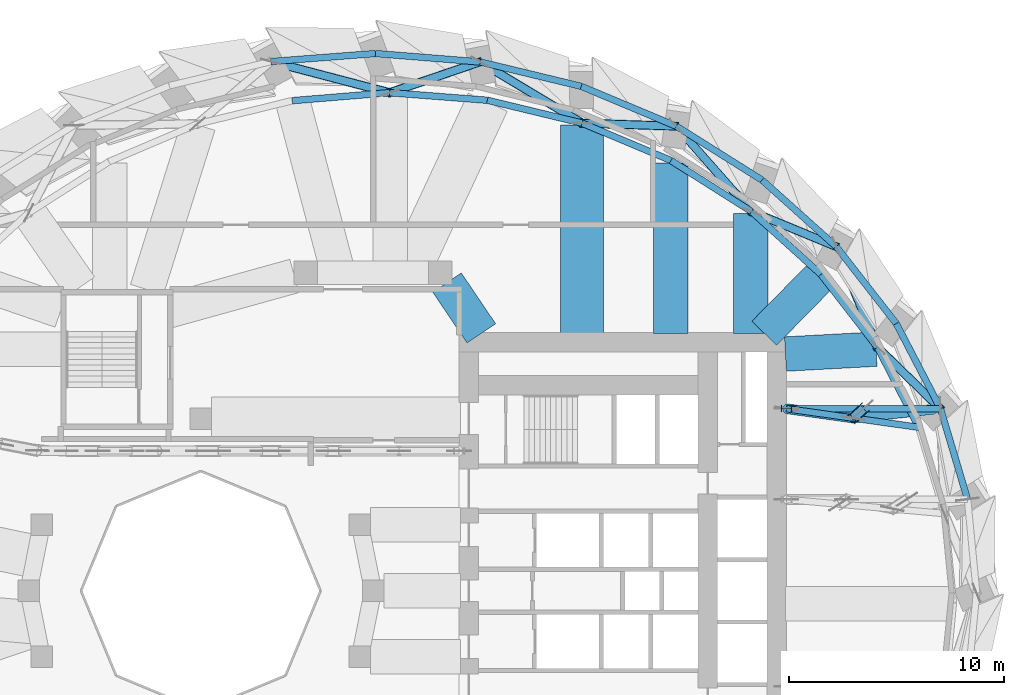
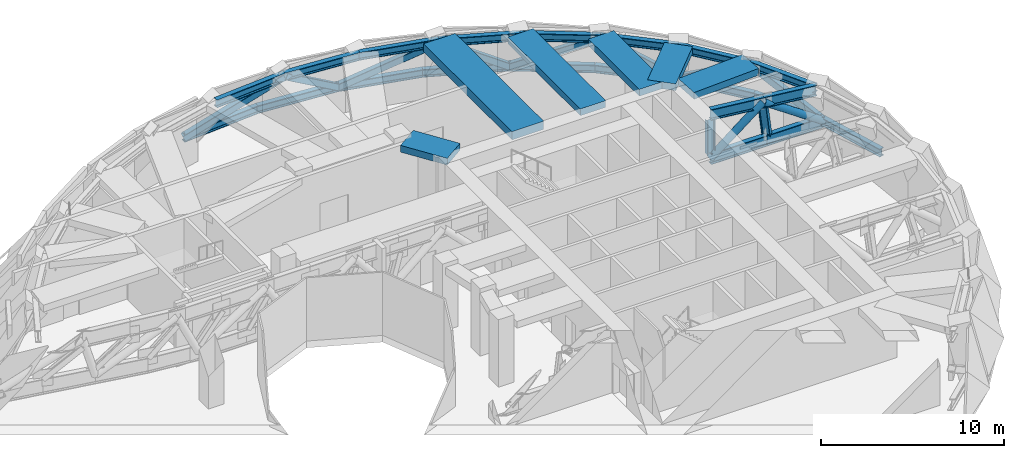
# One storey, part 6 of 15: 33 members, 6 beams.
"""IFC4 building model written with IfcOpenShell, lengths in metres."""

from ifc_helpers import new_model, si_unit, direction, frame, origin, origin_2d, place, context, subcontext, project, spatial, rectangle, hollow_rectangle, hollow_circle, i_section, extrude, material, material_profile, profile_set, type_object, element, save


model = new_model("IFC4")

# Units and contexts
model_context = context("Model", 3, precision=1e-05, world=origin(), true_north=direction((0.0, 1.0)))
body_context = subcontext(model_context, "Body", "Model", "MODEL_VIEW")
ifc_project = project(units=[si_unit("LENGTHUNIT", "METRE"), si_unit("AREAUNIT", "SQUARE_METRE"), si_unit("VOLUMEUNIT", "CUBIC_METRE"), si_unit("PLANEANGLEUNIT", "RADIAN"), si_unit("MASSUNIT", "GRAM", prefix="KILO")], contexts=[model_context])

# Site, building, storey
site_placement = place(None, origin())
site = spatial("IfcSite", under=ifc_project, at=site_placement, CompositionType="ELEMENT")
building_placement = place(site_placement, origin())
building = spatial("IfcBuilding", under=site, at=building_placement, Name="Taillehof Tower", CompositionType="ELEMENT")
storey_placement = place(building_placement, frame((0.0, 0.0, 84.39990234375)))
storey = spatial("IfcBuildingStorey", under=building, at=storey_placement, Name="L23", CompositionType="ELEMENT", Elevation=84.39990234375)

# Members
ifc_material_1 = material(Name="Steel S460M", Category="steel")
ifc_material_profile_1 = material_profile(ifc_material_1, i_section(OverallWidth=0.305908203125, OverallDepth=0.52392578125, WebThickness=0.02099609375, FlangeThickness=0.0400390625, FilletRadius=0.027099609375, at=origin_2d()), Name="HEM 500")
ifc_profile_set_1 = profile_set([ifc_material_profile_1], Name="Steel S460M")
member_type_1 = type_object("IfcMemberType", Name="Belt truss chord HEM 500", PredefinedType="CHORD", material=ifc_profile_set_1)
member_1_placement = place(storey_placement, frame((27.607421875, 4.24755859375, 0.900146484375), z_axis=(-0.285721897714, 0.958312578007, 0.0), x_axis=(-0.958312578007, -0.285721897714, 0.0)))
element("IfcMember", 1, at=member_1_placement, inside=storey, type_object=member_type_1, Name="Belt truss bottom chord BB02", PredefinedType="CHORD", context=body_context, shape_type="SweptSolid", body=[
    extrude(i_section(OverallWidth=0.305908203125, OverallDepth=0.52392578125, WebThickness=0.02099609375, FlangeThickness=0.0400390625, FilletRadius=0.027099609375, at=origin_2d()), origin(), (0.0, 0.0, 1.0), 4.3955078125),
])
member_2_placement = place(storey_placement, frame((26.3515625, 8.459716796875, 0.900146484375), z_axis=(-0.460992070082, 0.887404254735, 0.0), x_axis=(-0.887404254735, -0.460992070082, 0.0)))
element("IfcMember", 2, at=member_2_placement, inside=storey, type_object=member_type_1, Name="Belt truss bottom chord BB03", PredefinedType="CHORD", context=body_context, shape_type="SweptSolid", body=[
    extrude(i_section(OverallWidth=0.305908203125, OverallDepth=0.52392578125, WebThickness=0.02099609375, FlangeThickness=0.0400390625, FilletRadius=0.027099609375, at=origin_2d()), origin(), (0.0, 0.0, 1.0), 4.455078125),
])
member_3_placement = place(storey_placement, frame((25.357177734375, 7.5595703125, 3.9580078125), z_axis=(-0.458203373052, 0.888847382245, 0.0), x_axis=(-0.888847382245, -0.458203373052, 0.0)))
element("IfcMember", 3, at=member_3_placement, inside=storey, type_object=member_type_1, Name="Belt truss top chord BT03", PredefinedType="CHORD", context=body_context, shape_type="SweptSolid", body=[
    extrude(i_section(OverallWidth=0.305908203125, OverallDepth=0.52392578125, WebThickness=0.02099609375, FlangeThickness=0.0400390625, FilletRadius=0.027099609375, at=origin_2d()), origin(), (0.0, 0.0, 1.0), 4.216796875),
])
member_4_placement = place(storey_placement, frame((24.2978515625, 12.4130859375, 0.900146484375), z_axis=(-0.615225963566, 0.788350818959, 0.0), x_axis=(-0.788350818959, -0.615225963566, 0.0)))
element("IfcMember", 4, at=member_4_placement, inside=storey, type_object=member_type_1, Name="Belt truss bottom chord BB04", PredefinedType="CHORD", context=body_context, shape_type="SweptSolid", body=[
    extrude(i_section(OverallWidth=0.305908203125, OverallDepth=0.52392578125, WebThickness=0.02099609375, FlangeThickness=0.0400390625, FilletRadius=0.027099609375, at=origin_2d()), origin(), (0.0, 0.0, 1.0), 4.53369140625),
])
member_5_placement = place(storey_placement, frame((23.425048828125, 11.3076171875, 3.9580078125), z_axis=(-0.611948884832, 0.790897314671, 0.0), x_axis=(-0.790897314671, -0.611948884832, 0.0)))
element("IfcMember", 5, at=member_5_placement, inside=storey, type_object=member_type_1, Name="Belt truss top chord BT04", PredefinedType="CHORD", context=body_context, shape_type="SweptSolid", body=[
    extrude(i_section(OverallWidth=0.305908203125, OverallDepth=0.52392578125, WebThickness=0.02099609375, FlangeThickness=0.0400390625, FilletRadius=0.027099609375, at=origin_2d()), origin(), (0.0, 0.0, 1.0), 4.28125),
])
member_6_placement = place(storey_placement, frame((21.508544921875, 15.9873046875, 0.900146484375), z_axis=(-0.744314991306, 0.667828715853, 0.0), x_axis=(-0.667828715853, -0.744314991306, 0.0)))
element("IfcMember", 6, at=member_6_placement, inside=storey, type_object=member_type_1, Name="Belt truss bottom chord BB05", PredefinedType="CHORD", context=body_context, shape_type="SweptSolid", body=[
    extrude(i_section(OverallWidth=0.305908203125, OverallDepth=0.52392578125, WebThickness=0.02099609375, FlangeThickness=0.0400390625, FilletRadius=0.027099609375, at=origin_2d()), origin(), (0.0, 0.0, 1.0), 4.6220703125),
])
member_7_placement = place(storey_placement, frame((20.80517578125, 14.693603515625, 3.9580078125), z_axis=(-0.741448084902, 0.671010236431, 0.0), x_axis=(-0.671010236431, -0.741448084902, 0.0)))
element("IfcMember", 7, at=member_7_placement, inside=storey, type_object=member_type_1, Name="Belt truss top chord BT05", PredefinedType="CHORD", context=body_context, shape_type="SweptSolid", body=[
    extrude(i_section(OverallWidth=0.305908203125, OverallDepth=0.52392578125, WebThickness=0.02099609375, FlangeThickness=0.0400390625, FilletRadius=0.027099609375, at=origin_2d()), origin(), (0.0, 0.0, 1.0), 4.353271484375),
])
member_8_placement = place(storey_placement, frame((18.068359375, 19.073974609375, 0.900146484375), z_axis=(-0.846649897316, 0.532150309005, 0.0), x_axis=(-0.532150309005, -0.846649897316, 0.0)))
element("IfcMember", 8, at=member_8_placement, inside=storey, type_object=member_type_1, Name="Belt truss bottom chord BB06", PredefinedType="CHORD", context=body_context, shape_type="SweptSolid", body=[
    extrude(i_section(OverallWidth=0.305908203125, OverallDepth=0.52392578125, WebThickness=0.02099609375, FlangeThickness=0.0400390625, FilletRadius=0.027099609375, at=origin_2d()), origin(), (0.0, 0.0, 1.0), 4.708984375),
])
member_9_placement = place(storey_placement, frame((17.577392578125, 17.61474609375, 3.9580078125), z_axis=(-0.844820738636, 0.535049455257, 0.0), x_axis=(-0.535049455257, -0.844820738636, 0.0)))
element("IfcMember", 9, at=member_9_placement, inside=storey, type_object=member_type_1, Name="Belt truss top chord BT06", PredefinedType="CHORD", context=body_context, shape_type="SweptSolid", body=[
    extrude(i_section(OverallWidth=0.305908203125, OverallDepth=0.52392578125, WebThickness=0.02099609375, FlangeThickness=0.0400390625, FilletRadius=0.027099609375, at=origin_2d()), origin(), (0.0, 0.0, 1.0), 4.423828125),
])
member_10_placement = place(storey_placement, frame((14.08154296875, 21.579833984375, 0.900146484375), z_axis=(-0.922300599158, 0.386473291177, 0.0), x_axis=(-0.386473291177, -0.922300599158, 0.0)))
element("IfcMember", 10, at=member_10_placement, inside=storey, type_object=member_type_1, Name="Belt truss bottom chord BB07", PredefinedType="CHORD", context=body_context, shape_type="SweptSolid", body=[
    extrude(i_section(OverallWidth=0.305908203125, OverallDepth=0.52392578125, WebThickness=0.02099609375, FlangeThickness=0.0400390625, FilletRadius=0.027099609375, at=origin_2d()), origin(), (0.0, 0.0, 1.0), 4.78466796875),
])
member_11_placement = place(storey_placement, frame((13.840087890625, 19.981689453125, 3.9580078125), z_axis=(-0.921599501204, 0.388142189643, 0.0), x_axis=(-0.388142189643, -0.921599501204, 0.0)))
element("IfcMember", 11, at=member_11_placement, inside=storey, type_object=member_type_1, Name="Belt truss top chord BT07", PredefinedType="CHORD", context=body_context, shape_type="SweptSolid", body=[
    extrude(i_section(OverallWidth=0.305908203125, OverallDepth=0.52392578125, WebThickness=0.02099609375, FlangeThickness=0.0400390625, FilletRadius=0.027099609375, at=origin_2d()), origin(), (0.0, 0.0, 1.0), 4.484130859375),
])
member_12_placement = place(storey_placement, frame((9.668701171875, 23.428955078125, 0.900146484375), z_axis=(-0.972071893555, 0.234683262632, 0.0), x_axis=(-0.234683262632, -0.972071893555, 0.0)))
element("IfcMember", 12, at=member_12_placement, inside=storey, type_object=member_type_1, Name="Belt truss bottom chord BB08", PredefinedType="CHORD", context=body_context, shape_type="SweptSolid", body=[
    extrude(i_section(OverallWidth=0.305908203125, OverallDepth=0.52392578125, WebThickness=0.02099609375, FlangeThickness=0.0400390625, FilletRadius=0.027099609375, at=origin_2d()), origin(), (0.0, 0.0, 1.0), 4.840576171875),
])
member_13_placement = place(storey_placement, frame((9.70751953125, 21.72216796875, 3.9580078125), z_axis=(-0.972144513358, 0.234382262871, 0.0), x_axis=(-0.234382262871, -0.972144513358, 0.0)))
element("IfcMember", 13, at=member_13_placement, inside=storey, type_object=member_type_1, Name="Belt truss top chord BT08", PredefinedType="CHORD", context=body_context, shape_type="SweptSolid", body=[
    extrude(i_section(OverallWidth=0.305908203125, OverallDepth=0.52392578125, WebThickness=0.02099609375, FlangeThickness=0.0400390625, FilletRadius=0.027099609375, at=origin_2d()), origin(), (0.0, 0.0, 1.0), 4.528076171875),
])
member_14_placement = place(storey_placement, frame((4.96337890625, 24.56494140625, 0.900146484375), z_axis=(-0.996819420793, 0.079693427145, 0.0), x_axis=(-0.079693427145, -0.996819420793, 0.0)))
element("IfcMember", 14, at=member_14_placement, inside=storey, type_object=member_type_1, Name="Belt truss bottom chord BB09", PredefinedType="CHORD", context=body_context, shape_type="SweptSolid", body=[
    extrude(i_section(OverallWidth=0.305908203125, OverallDepth=0.52392578125, WebThickness=0.02099609375, FlangeThickness=0.0400390625, FilletRadius=0.027099609375, at=origin_2d()), origin(), (0.0, 0.0, 1.0), 4.870849609375),
])
member_15_placement = place(storey_placement, frame((5.3056640625, 22.783447265625, 3.9580078125), z_axis=(-0.997030763809, 0.077004259745, 0.0), x_axis=(-0.077004259745, -0.997030763809, 0.0)))
element("IfcMember", 15, at=member_15_placement, inside=storey, type_object=member_type_1, Name="Belt truss top chord BT09", PredefinedType="CHORD", context=body_context, shape_type="SweptSolid", body=[
    extrude(i_section(OverallWidth=0.305908203125, OverallDepth=0.52392578125, WebThickness=0.02099609375, FlangeThickness=0.0400390625, FilletRadius=0.027099609375, at=origin_2d()), origin(), (0.0, 0.0, 1.0), 4.549560546875),
])
member_16_placement = place(storey_placement, frame((0.10791015625, 24.953125, 0.900146484375), z_axis=(-0.997084178507, -0.076309507732, 0.0), x_axis=(0.076309507732, -0.997084178507, 0.0)))
element("IfcMember", 16, at=member_16_placement, inside=storey, type_object=member_type_1, Name="Belt truss bottom chord BB10", PredefinedType="CHORD", context=body_context, shape_type="SweptSolid", body=[
    extrude(i_section(OverallWidth=0.305908203125, OverallDepth=0.52392578125, WebThickness=0.02099609375, FlangeThickness=0.0400390625, FilletRadius=0.027099609375, at=origin_2d()), origin(), (0.0, 0.0, 1.0), 4.87255859375),
])
member_17_placement = place(storey_placement, frame((0.76953125, 23.1337890625, 3.9580078125), z_axis=(-0.996669405723, -0.081548118895, 0.0), x_axis=(0.081548118895, -0.996669405723, 0.0)))
element("IfcMember", 17, at=member_17_placement, inside=storey, type_object=member_type_1, Name="Belt truss top chord BT10", PredefinedType="CHORD", context=body_context, shape_type="SweptSolid", body=[
    extrude(i_section(OverallWidth=0.305908203125, OverallDepth=0.52392578125, WebThickness=0.02099609375, FlangeThickness=0.0400390625, FilletRadius=0.027099609375, at=origin_2d()), origin(), (0.0, 0.0, 1.0), 4.547607421875),
])
ifc_material_2 = material(Name="Steel S460M", Category="steel")
ifc_material_profile_2 = material_profile(ifc_material_2, hollow_rectangle(XDim=0.39990234375, YDim=0.39990234375, WallThickness=0.02001953125, InnerFilletRadius=0.02001953125, OuterFilletRadius=0.030029296875, at=origin_2d()), Name="RHS 400x400x20")
ifc_profile_set_2 = profile_set([ifc_material_profile_2], Name="Steel S460M")
member_type_2 = type_object("IfcMemberType", Name="Belt truss diagonal RHS 400x400x20", PredefinedType="BRACE", material=ifc_profile_set_2)
member_18_placement = place(storey_placement, frame((26.3515625, 8.459716796875, 0.900146484375), z_axis=(-0.573654924335, 0.558245156617, 0.599401679094), x_axis=(-0.697415551958, -0.716666971394, 0.0)))
element("IfcMember", 18, at=member_18_placement, inside=storey, type_object=member_type_2, Name="Belt truss diagonal BX03", PredefinedType="BRACE", context=body_context, shape_type="SweptSolid", body=[
    extrude(hollow_rectangle(XDim=0.39990234375, YDim=0.39990234375, WallThickness=0.02001953125, InnerFilletRadius=0.02001953125, OuterFilletRadius=0.030029296875, at=origin_2d()), origin(), (0.0, 0.0, 1.0), 5.1015625),
])
member_19_placement = place(storey_placement, frame((23.425048828125, 11.3076171875, 3.9580078125), z_axis=(-0.324305319392, 0.79188335823, -0.517442563743), x_axis=(-0.925402309573, -0.378986233835, 0.0)))
element("IfcMember", 19, at=member_19_placement, inside=storey, type_object=member_type_2, Name="Belt truss diagonal BX04", PredefinedType="BRACE", context=body_context, shape_type="SweptSolid", body=[
    extrude(hollow_rectangle(XDim=0.39990234375, YDim=0.39990234375, WallThickness=0.02001953125, InnerFilletRadius=0.02001953125, OuterFilletRadius=0.030029296875, at=origin_2d()), origin(), (0.0, 0.0, 1.0), 5.90966796875),
])
member_20_placement = place(storey_placement, frame((21.508544921875, 15.9873046875, 0.900146484375), z_axis=(-0.750282214295, 0.310606212923, 0.583609783508), x_axis=(-0.382503833466, -0.923953904361, 0.0)))
element("IfcMember", 20, at=member_20_placement, inside=storey, type_object=member_type_2, Name="Belt truss diagonal BX05", PredefinedType="BRACE", context=body_context, shape_type="SweptSolid", body=[
    extrude(hollow_rectangle(XDim=0.39990234375, YDim=0.39990234375, WallThickness=0.02001953125, InnerFilletRadius=0.02001953125, OuterFilletRadius=0.030029296875, at=origin_2d()), origin(), (0.0, 0.0, 1.0), 5.239501953125),
])
member_21_placement = place(storey_placement, frame((17.577392578125, 17.61474609375, 3.9580078125), z_axis=(-0.572448916407, 0.649287160512, -0.500727891473), x_axis=(-0.750096579843, -0.661328300398, 0.0)))
element("IfcMember", 21, at=member_21_placement, inside=storey, type_object=member_type_2, Name="Belt truss diagonal BX06", PredefinedType="BRACE", context=body_context, shape_type="SweptSolid", body=[
    extrude(hollow_rectangle(XDim=0.39990234375, YDim=0.39990234375, WallThickness=0.02001953125, InnerFilletRadius=0.02001953125, OuterFilletRadius=0.030029296875, at=origin_2d()), origin(), (0.0, 0.0, 1.0), 6.10693359375),
])
member_22_placement = place(storey_placement, frame((14.08154296875, 21.579833984375, 0.900146484375), z_axis=(-0.819288610056, 0.026660262317, 0.572761210144), x_axis=(-0.032523530673, -0.99947097004, 0.0)))
element("IfcMember", 22, at=member_22_placement, inside=storey, type_object=member_type_2, Name="Belt truss diagonal BX07", PredefinedType="BRACE", context=body_context, shape_type="SweptSolid", body=[
    extrude(hollow_rectangle(XDim=0.39990234375, YDim=0.39990234375, WallThickness=0.02001953125, InnerFilletRadius=0.02001953125, OuterFilletRadius=0.030029296875, at=origin_2d()), origin(), (0.0, 0.0, 1.0), 5.3388671875),
])
member_23_placement = place(storey_placement, frame((9.70751953125, 21.72216796875, 3.9580078125), z_axis=(-0.750689490865, 0.449826494011, -0.483860944477), x_axis=(-0.514002306163, -0.857788802246, 0.0)))
element("IfcMember", 23, at=member_23_placement, inside=storey, type_object=member_type_2, Name="Belt truss diagonal BX08", PredefinedType="BRACE", context=body_context, shape_type="SweptSolid", body=[
    extrude(hollow_rectangle(XDim=0.39990234375, YDim=0.39990234375, WallThickness=0.02001953125, InnerFilletRadius=0.02001953125, OuterFilletRadius=0.030029296875, at=origin_2d()), origin(), (0.0, 0.0, 1.0), 6.31982421875),
])
member_24_placement = place(storey_placement, frame((4.96337890625, 24.56494140625, 0.900146484375), z_axis=(-0.778951615906, -0.265817579022, 0.567957212086), x_axis=(0.322963330356, -0.946411478822, 0.0)))
element("IfcMember", 24, at=member_24_placement, inside=storey, type_object=member_type_2, Name="Belt truss diagonal BX09", PredefinedType="BRACE", context=body_context, shape_type="SweptSolid", body=[
    extrude(hollow_rectangle(XDim=0.39990234375, YDim=0.39990234375, WallThickness=0.02001953125, InnerFilletRadius=0.02001953125, OuterFilletRadius=0.030029296875, at=origin_2d()), origin(), (0.0, 0.0, 1.0), 5.384033203125),
])
member_25_placement = place(storey_placement, frame((0.76953125, 23.1337890625, 3.9580078125), z_axis=(-0.852606311422, 0.223578187546, -0.472308449826), x_axis=(-0.253652974159, -0.967295285164, 0.0)))
element("IfcMember", 25, at=member_25_placement, inside=storey, type_object=member_type_2, Name="Belt truss diagonal BX10", PredefinedType="BRACE", context=body_context, shape_type="SweptSolid", body=[
    extrude(hollow_rectangle(XDim=0.39990234375, YDim=0.39990234375, WallThickness=0.02001953125, InnerFilletRadius=0.02001953125, OuterFilletRadius=0.030029296875, at=origin_2d()), origin(), (0.0, 0.0, 1.0), 6.474365234375),
])
ifc_material_3 = material(Name="Steel S460M", Category="steel")
ifc_material_profile_3 = material_profile(ifc_material_3, i_section(OverallWidth=0.303955078125, OverallDepth=0.716064453125, WebThickness=0.02099609375, FlangeThickness=0.0400390625, FilletRadius=0.027099609375, at=origin_2d()), Name="HEM 700")
ifc_profile_set_3 = profile_set([ifc_material_profile_3], Name="Steel S460M")
member_type_3 = type_object("IfcMemberType", Name="Outrigger chord HEM 700", PredefinedType="CHORD", material=ifc_profile_set_3)
member_26_placement = place(storey_placement, frame((19.199951171875, 8.459716796875, 0.900146484375), z_axis=(1.0, 0.0, 0.0), x_axis=(0.0, 1.0, 0.0)))
element("IfcMember", 26, at=member_26_placement, inside=storey, type_object=member_type_3, Name="Outrigger OT2 bottom chord 01", PredefinedType="CHORD", context=body_context, shape_type="SweptSolid", body=[
    extrude(i_section(OverallWidth=0.303955078125, OverallDepth=0.716064453125, WebThickness=0.02099609375, FlangeThickness=0.0400390625, FilletRadius=0.027099609375, at=origin_2d()), origin(), (0.0, 0.0, 1.0), 3.575927734375),
])
member_27_placement = place(storey_placement, frame((19.199951171875, 8.459716796875, 3.862060546875), z_axis=(0.990227264969, -0.139463126714, 0.0), x_axis=(0.139463126714, 0.990227264969, 0.0)))
element("IfcMember", 27, at=member_27_placement, inside=storey, type_object=member_type_3, Name="Outrigger OT2 top chord 01", PredefinedType="CHORD", context=body_context, shape_type="SweptSolid", body=[
    extrude(i_section(OverallWidth=0.303955078125, OverallDepth=0.716064453125, WebThickness=0.02099609375, FlangeThickness=0.0400390625, FilletRadius=0.027099609375, at=origin_2d()), origin(), (0.0, 0.0, 1.0), 3.124755859375),
])
member_28_placement = place(storey_placement, frame((22.77587890625, 8.459716796875, 0.900146484375), z_axis=(1.0, 0.0, 0.0), x_axis=(0.0, 1.0, 0.0)))
element("IfcMember", 28, at=member_28_placement, inside=storey, type_object=member_type_3, Name="Outrigger OT2 bottom chord 02", PredefinedType="CHORD", context=body_context, shape_type="SweptSolid", body=[
    extrude(i_section(OverallWidth=0.303955078125, OverallDepth=0.716064453125, WebThickness=0.02099609375, FlangeThickness=0.0400390625, FilletRadius=0.027099609375, at=origin_2d()), origin(), (0.0, 0.0, 1.0), 3.57568359375),
])
member_29_placement = place(storey_placement, frame((22.294189453125, 8.02392578125, 3.862060546875), z_axis=(0.990216472272, -0.139539736427, 0.0), x_axis=(0.139539736427, 0.990216472272, 0.0)))
element("IfcMember", 29, at=member_29_placement, inside=storey, type_object=member_type_3, Name="Outrigger OT2 top chord 02", PredefinedType="CHORD", context=body_context, shape_type="SweptSolid", body=[
    extrude(i_section(OverallWidth=0.303955078125, OverallDepth=0.716064453125, WebThickness=0.02099609375, FlangeThickness=0.0400390625, FilletRadius=0.027099609375, at=origin_2d()), origin(), (0.0, 0.0, 1.0), 3.124755859375),
])
ifc_material_4 = material(Name="Steel S460M", Category="steel")
ifc_material_profile_4 = material_profile(ifc_material_4, hollow_circle(Radius=0.228515625, WallThickness=0.02490234375, at=origin_2d()), Name="CHS 457x25")
ifc_profile_set_4 = profile_set([ifc_material_profile_4], Name="Steel S460M")
member_type_4 = type_object("IfcMemberType", Name="Outrigger diagonal CHS 457x25", PredefinedType="BRACE", material=ifc_profile_set_4)
member_30_placement = place(storey_placement, frame((19.199951171875, 8.459716796875, 0.900146484375), z_axis=(0.718674382017, -0.101217750663, 0.687940476774), x_axis=(0.139463126714, 0.990227264969, 0.0)))
element("IfcMember", 30, at=member_30_placement, inside=storey, type_object=member_type_4, Name="Outrigger OT2 diagonal 01", PredefinedType="BRACE", context=body_context, shape_type="SweptSolid", body=[
    extrude(hollow_circle(Radius=0.228515625, WallThickness=0.02490234375, at=origin_2d()), origin(), (0.0, 0.0, 1.0), 4.305419921875),
])
member_31_placement = place(storey_placement, frame((22.294189453125, 8.02392578125, 3.862060546875), z_axis=(0.804661816844, 0.08642646026, -0.58740942066), x_axis=(-0.106792953011, 0.994281280719, 0.0)))
element("IfcMember", 31, at=member_31_placement, inside=storey, type_object=member_type_4, Name="Outrigger OT2 diagonal 02", PredefinedType="BRACE", context=body_context, shape_type="SweptSolid", body=[
    extrude(hollow_circle(Radius=0.228515625, WallThickness=0.02490234375, at=origin_2d()), origin(), (0.0, 0.0, 1.0), 5.042236328125),
])
ifc_material_5 = material(Name="Steel S460M", Category="steel")
ifc_material_profile_5 = material_profile(ifc_material_5, i_section(OverallWidth=0.300048828125, OverallDepth=0.5, WebThickness=0.014404296875, FlangeThickness=0.028076171875, FilletRadius=0.027099609375, at=origin_2d()), Name="HEB 500")
ifc_profile_set_5 = profile_set([ifc_material_profile_5], Name="Steel S460M")
member_type_5 = type_object("IfcMemberType", Name="Outrigger post HEB 500", PredefinedType="POST", material=ifc_profile_set_5)
member_32_placement = place(storey_placement, frame((19.199951171875, 8.459716796875, 1.258056640625), z_axis=(0.0, 0.0, 1.0), x_axis=(0.0, -1.0, 0.0)))
element("IfcMember", 32, at=member_32_placement, inside=storey, type_object=member_type_5, Name="Outrigger OT2 post 01", PredefinedType="POST", context=body_context, shape_type="SweptSolid", body=[
    extrude(i_section(OverallWidth=0.300048828125, OverallDepth=0.5, WebThickness=0.014404296875, FlangeThickness=0.028076171875, FilletRadius=0.027099609375, at=origin_2d()), origin(), (0.0, 0.0, 1.0), 2.24609375),
])
member_33_placement = place(storey_placement, frame((22.77587890625, 8.459716796875, 1.258056640625), z_axis=(-0.206014381446, -0.186384019707, 0.960634723418), x_axis=(-0.712362125191, -0.644483727048, -0.27781455715)))
element("IfcMember", 33, at=member_33_placement, inside=storey, type_object=member_type_5, Name="Outrigger OT2 post 02", PredefinedType="POST", context=body_context, shape_type="SweptSolid", body=[
    extrude(i_section(OverallWidth=0.300048828125, OverallDepth=0.5, WebThickness=0.014404296875, FlangeThickness=0.028076171875, FilletRadius=0.027099609375, at=origin_2d()), origin(), (0.0, 0.0, 1.0), 2.338134765625),
])

# Beams
ifc_material_6 = material(Name="Concrete C50/60", Category="concrete")
ifc_material_profile_6 = material_profile(ifc_material_6, rectangle(XDim=1.60009765625, YDim=0.449951171875, at=origin_2d()), Name="RC 1600x450")
ifc_profile_set_6 = profile_set([ifc_material_profile_6], Name="Concrete C50/60")
beam_type_1 = type_object("IfcBeamType", Name="Radial band beam C50/60 1600x450", PredefinedType="BEAM", material=ifc_profile_set_6)
beam_1_placement = place(storey_placement, frame((23.35986328125, 11.22509765625, 3.9951171875), z_axis=(-0.998539319352, -0.054029877919, 0.0), x_axis=(0.054029877919, -0.998539319352, 0.0)))
element("IfcBeam", 34, at=beam_1_placement, inside=storey, type_object=beam_type_1, Name="Radial band beam RB04", PredefinedType="BEAM", context=body_context, shape_type="SweptSolid", body=[
    extrude(rectangle(XDim=1.60009765625, YDim=0.449951171875, at=origin_2d()), origin(), (0.0, 0.0, 1.0), 4.2158203125),
])
beam_2_placement = place(storey_placement, frame((20.75537109375, 14.60205078125, 3.9951171875), z_axis=(-0.700671998657, -0.713483531903, 0.0), x_axis=(0.713483531903, -0.700671998657, 0.0)))
element("IfcBeam", 35, at=beam_2_placement, inside=storey, type_object=beam_type_1, Name="Radial band beam RB05", PredefinedType="BEAM", context=body_context, shape_type="SweptSolid", body=[
    extrude(rectangle(XDim=1.60009765625, YDim=0.449951171875, at=origin_2d()), origin(), (0.0, 0.0, 1.0), 3.697021484375),
])
beam_3_placement = place(storey_placement, frame((17.544677734375, 17.516845703125, 3.9951171875), z_axis=(0.0, -1.0, 0.0), x_axis=(1.0, 0.0, 0.0)))
element("IfcBeam", 36, at=beam_3_placement, inside=storey, type_object=beam_type_1, Name="Radial band beam RB06", PredefinedType="BEAM", context=body_context, shape_type="SweptSolid", body=[
    extrude(rectangle(XDim=1.60009765625, YDim=0.449951171875, at=origin_2d()), origin(), (0.0, 0.0, 1.0), 5.56689453125),
])
beam_4_placement = place(storey_placement, frame((13.824951171875, 19.881591796875, 3.9951171875), z_axis=(0.0, -1.0, 0.0), x_axis=(1.0, 0.0, 0.0)))
element("IfcBeam", 37, at=beam_4_placement, inside=storey, type_object=beam_type_1, Name="Radial band beam RB07", PredefinedType="BEAM", context=body_context, shape_type="SweptSolid", body=[
    extrude(rectangle(XDim=1.60009765625, YDim=0.449951171875, at=origin_2d()), origin(), (0.0, 0.0, 1.0), 7.931640625),
])
beam_5_placement = place(storey_placement, frame((3.433837890625, 14.31640625, 3.9951171875), z_axis=(0.560112043398, -0.828416862962, 0.0), x_axis=(0.828416862962, 0.560112043398, 0.0)))
element("IfcBeam", 38, at=beam_5_placement, inside=storey, type_object=beam_type_1, Name="Inner band beam IB205", PredefinedType="BEAM", context=body_context, shape_type="SweptSolid", body=[
    extrude(rectangle(XDim=1.60009765625, YDim=0.449951171875, at=origin_2d()), origin(), (0.0, 0.0, 1.0), 2.84619140625),
])
ifc_material_7 = material(Name="Concrete C50/60", Category="concrete")
ifc_material_profile_7 = material_profile(ifc_material_7, rectangle(XDim=2.0, YDim=0.550048828125, at=origin_2d()), Name="RC 2000x550")
ifc_profile_set_7 = profile_set([ifc_material_profile_7], Name="Concrete C50/60")
beam_type_2 = type_object("IfcBeamType", Name="Radial band beam C50/60 2000x550", PredefinedType="BEAM", material=ifc_profile_set_7)
beam_6_placement = place(storey_placement, frame((9.709716796875, 21.623779296875, 3.945068359375), z_axis=(0.0, -1.0, 0.0), x_axis=(1.0, 0.0, 0.0)))
element("IfcBeam", 39, at=beam_6_placement, inside=storey, type_object=beam_type_2, Name="Radial band beam RB08", PredefinedType="BEAM", context=body_context, shape_type="SweptSolid", body=[
    extrude(rectangle(XDim=2.0, YDim=0.550048828125, at=origin_2d()), origin(), (0.0, 0.0, 1.0), 9.673828125),
])

save(model, "model.ifc")
